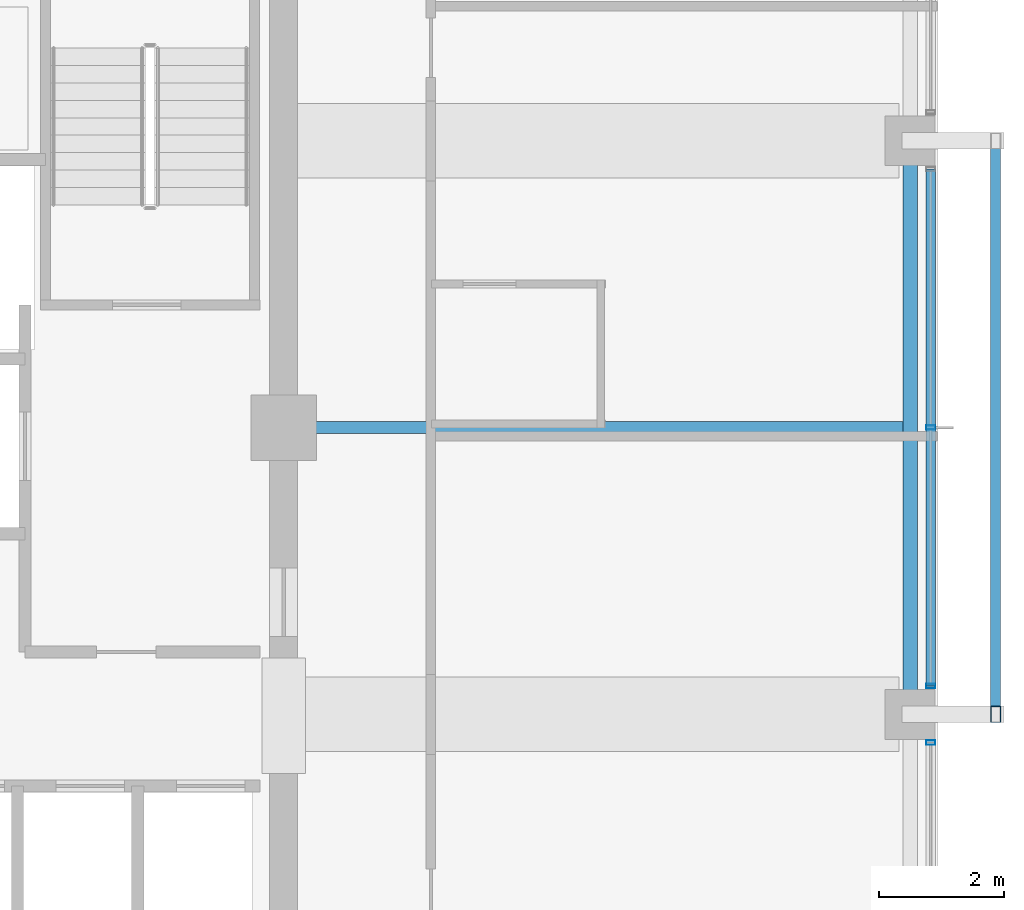
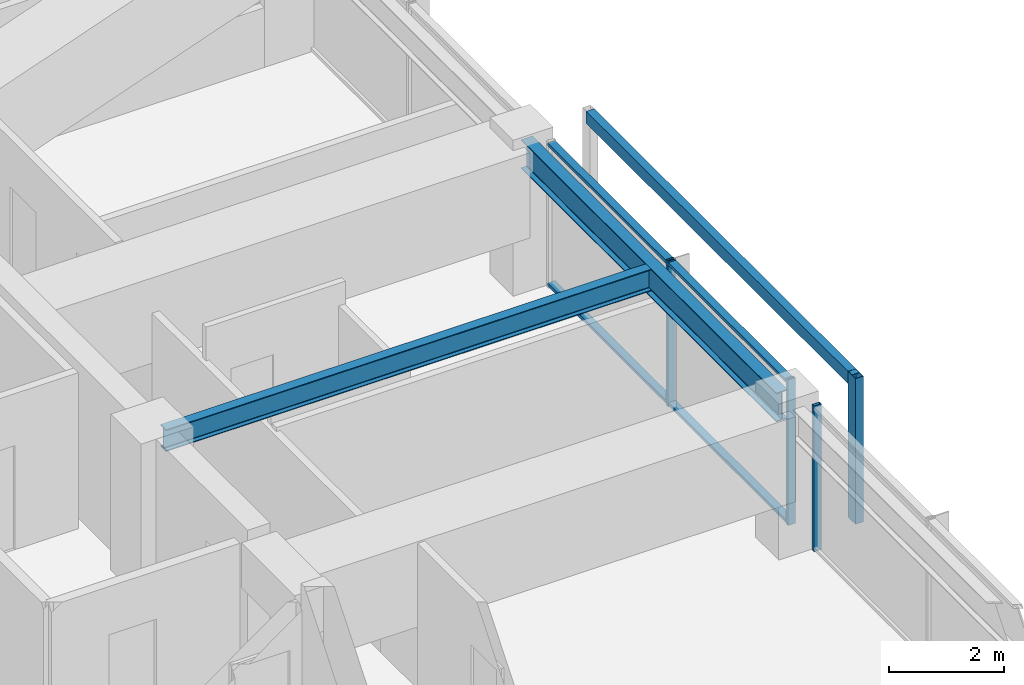
# One storey, part 14 of 37: 7 members, 2 beams, 2 elements without a shape of their own.
"""IFC4 building model written with IfcOpenShell, lengths in metres."""

from ifc_helpers import new_model, si_unit, direction, frame, origin, origin_2d, place, context, subcontext, project, spatial, hollow_rectangle, i_section, extrude, material, material_profile, profile_set, type_object, element, aggregate, save


model = new_model("IFC4")

# Units and contexts
model_context = context("Model", 3, precision=1e-05, world=origin(), true_north=direction((0.0, 1.0)))
body_context = subcontext(model_context, "Body", "Model", "MODEL_VIEW")
ifc_project = project(units=[si_unit("LENGTHUNIT", "METRE"), si_unit("AREAUNIT", "SQUARE_METRE"), si_unit("VOLUMEUNIT", "CUBIC_METRE"), si_unit("PLANEANGLEUNIT", "RADIAN"), si_unit("MASSUNIT", "GRAM", prefix="KILO")], contexts=[model_context])

# Site, building, storey
site_placement = place(None, origin())
site = spatial("IfcSite", under=ifc_project, at=site_placement, CompositionType="ELEMENT")
building_placement = place(site_placement, origin())
building = spatial("IfcBuilding", under=site, at=building_placement, Name="Kolvaren Belvedere", CompositionType="ELEMENT")
storey_placement = place(building_placement, frame((0.0, 0.0, 219.60009765625)))
storey = spatial("IfcBuildingStorey", under=building, at=storey_placement, Name="L64", CompositionType="ELEMENT", Elevation=219.60009765625)

# Beams
ifc_material_1 = material(Name="Structural steel ASTM A992 Grade 50", Category="steel")
ifc_material_profile_1 = material_profile(ifc_material_1, i_section(OverallWidth=0.19091796875, OverallDepth=0.4599609375, WebThickness=0.010009765625, FlangeThickness=0.01611328125, FilletRadius=0.014892578125, at=origin_2d()), Name="W18X55")
ifc_profile_set_1 = profile_set([ifc_material_profile_1], Name="Structural steel ASTM A992 Grade 50")
beam_type_1 = type_object("IfcBeamType", Name="BM-JOIST-W18X55", PredefinedType="BEAM", material=ifc_profile_set_1)
beam_1_placement = place(storey_placement, frame((10.125, 0.0, 2.849853515625), z_axis=(1.0, 0.0, 0.0), x_axis=(0.0, 1.0, 0.0)))
element("IfcBeam", 1, at=beam_1_placement, inside=storey, type_object=beam_type_1, Name="L64 East Centre Floor Beam", PredefinedType="BEAM", context=body_context, shape_type="SweptSolid", body=[
    extrude(i_section(OverallWidth=0.19091796875, OverallDepth=0.4599609375, WebThickness=0.010009765625, FlangeThickness=0.01611328125, FilletRadius=0.014892578125, at=origin_2d()), origin(), (0.0, 0.0, 1.0), 9.71044921875),
])
ifc_material_2 = material(Name="Structural steel ASTM A992 Grade 50", Category="steel")
ifc_material_profile_2 = material_profile(ifc_material_2, i_section(OverallWidth=0.22900390625, OverallDepth=0.612060546875, WebThickness=0.011962890625, FlangeThickness=0.01953125, FilletRadius=0.01806640625, at=origin_2d()), Name="W24X84")
ifc_profile_set_2 = profile_set([ifc_material_profile_2], Name="Structural steel ASTM A992 Grade 50")
beam_type_2 = type_object("IfcBeamType", Name="BM-SPAN-W24X84", PredefinedType="SPANDREL", material=ifc_profile_set_2)
beam_2_placement = place(storey_placement, frame((19.949951171875, -4.419921875, 2.77392578125), z_axis=(0.0, 1.0, 0.0), x_axis=(-1.0, 0.0, 0.0)))
element("IfcBeam", 2, at=beam_2_placement, inside=storey, type_object=beam_type_2, Name="L64 Perimeter Spandrel E2-E3", PredefinedType="SPANDREL", context=body_context, shape_type="SweptSolid", body=[
    extrude(i_section(OverallWidth=0.22900390625, OverallDepth=0.612060546875, WebThickness=0.011962890625, FlangeThickness=0.01953125, FilletRadius=0.01806640625, at=origin_2d()), origin(), (0.0, 0.0, 1.0), 8.83984375),
])

# Curtain wall, members
ifc_material_3 = material(Name="Anodised pale-metal aluminium AA 6063-T6", Category="aluminium")
curtain_wall_type = type_object("IfcCurtainWallType", Name="CW-Z5-HIGH", PredefinedType="NOTDEFINED", material=ifc_material_3)
curtain_wall_1_placement = place(storey_placement, origin())
curtain_wall_1 = element("IfcCurtainWall", 3, at=curtain_wall_1_placement, inside=storey, type_object=curtain_wall_type, Name="L64 Unitised Curtain Wall FCW-L64-E-B2", PredefinedType="NOTDEFINED")
ifc_material_4 = material(Name="Anodised pale-metal aluminium AA 6063-T6", Category="aluminium")
ifc_material_profile_3 = material_profile(ifc_material_4, hollow_rectangle(XDim=0.070068359375, YDim=0.14990234375, WallThickness=0.004150390625, at=origin_2d()), Name="ALU-MUL-150X70")
ifc_profile_set_3 = profile_set([ifc_material_profile_3], Name="Anodised pale-metal aluminium AA 6063-T6")
member_type_1 = type_object("IfcMemberType", Name="CW-MUL-150", PredefinedType="MULLION", material=ifc_profile_set_3)
member_1_placement = place(storey_placement, frame((20.280029296875, 0.0, 0.0), z_axis=(0.0, 0.0, 1.0), x_axis=(0.0, 1.0, 0.0)))
member_1 = element("IfcMember", 4, at=member_1_placement, type_object=member_type_1, Name="FCW-L64-E-B2 Unitised Mullion 2", PredefinedType="MULLION", context=body_context, shape_type="SweptSolid", body=[
    extrude(hollow_rectangle(XDim=0.070068359375, YDim=0.14990234375, WallThickness=0.004150390625, at=origin_2d()), origin(), (0.0, 0.0, 1.0), 3.079833984375),
])
member_2_placement = place(storey_placement, frame((20.280029296875, -4.14501953125, 0.0), z_axis=(0.0, 0.0, 1.0), x_axis=(0.0, 1.0, 0.0)))
member_2 = element("IfcMember", 5, at=member_2_placement, type_object=member_type_1, Name="FCW-L64-E-B2 Unitised Mullion 3", PredefinedType="MULLION", context=body_context, shape_type="SweptSolid", body=[
    extrude(hollow_rectangle(XDim=0.070068359375, YDim=0.14990234375, WallThickness=0.004150390625, at=origin_2d()), origin(), (0.0, 0.0, 1.0), 3.079833984375),
])

# Curtain wall, member
curtain_wall_2_placement = place(storey_placement, origin())
curtain_wall_2 = element("IfcCurtainWall", 6, at=curtain_wall_2_placement, inside=storey, type_object=curtain_wall_type, Name="L64 Unitised Curtain Wall FCW-L64-E-B3", PredefinedType="NOTDEFINED")
member_3_placement = place(storey_placement, frame((20.280029296875, -5.054931640625, 0.0), z_axis=(0.0, 0.0, 1.0), x_axis=(0.0, 1.0, 0.0)))
member_3 = element("IfcMember", 7, at=member_3_placement, type_object=member_type_1, Name="FCW-L64-E-B3 Unitised Mullion 1", PredefinedType="MULLION", context=body_context, shape_type="SweptSolid", body=[
    extrude(hollow_rectangle(XDim=0.070068359375, YDim=0.14990234375, WallThickness=0.004150390625, at=origin_2d()), origin(), (0.0, 0.0, 1.0), 3.079833984375),
])
aggregate(curtain_wall_2, [member_3])

# Member
ifc_material_5 = material(Name="Anodised pale-metal aluminium AA 6063-T6", Category="aluminium")
ifc_material_profile_4 = material_profile(ifc_material_5, hollow_rectangle(XDim=0.06494140625, YDim=0.14990234375, WallThickness=0.00390625, at=origin_2d()), Name="ALU-TRN-150X65")
ifc_profile_set_4 = profile_set([ifc_material_profile_4], Name="Anodised pale-metal aluminium AA 6063-T6")
member_type_2 = type_object("IfcMemberType", Name="CW-TRN-150", PredefinedType="USERDEFINED", material=ifc_profile_set_4)
member_4_placement = place(storey_placement, frame((20.280029296875, 4.14501953125, 0.059814453125), z_axis=(0.0, -1.0, 0.0), x_axis=(0.0, 0.0, 1.0)))
member_4 = element("IfcMember", 8, at=member_4_placement, type_object=member_type_2, Name="FCW-L64-E-B2 Sill Transom", ObjectType="TRANSOM", PredefinedType="USERDEFINED", context=body_context, shape_type="SweptSolid", body=[
    extrude(hollow_rectangle(XDim=0.06494140625, YDim=0.14990234375, WallThickness=0.00390625, at=origin_2d()), origin(), (0.0, 0.0, 1.0), 8.2900390625),
])

member_5_placement = place(storey_placement, frame((20.280029296875, 4.14501953125, 3.02001953125), z_axis=(0.0, -1.0, 0.0), x_axis=(0.0, 0.0, 1.0)))
member_5 = element("IfcMember", 9, at=member_5_placement, type_object=member_type_2, Name="FCW-L64-E-B2 Head Transom", ObjectType="TRANSOM", PredefinedType="USERDEFINED", context=body_context, shape_type="SweptSolid", body=[
    extrude(hollow_rectangle(XDim=0.06494140625, YDim=0.14990234375, WallThickness=0.00390625, at=origin_2d()), origin(), (0.0, 0.0, 1.0), 8.2900390625),
])

aggregate(curtain_wall_1, [member_1, member_2, member_4, member_5])

# Members
ifc_material_6 = material(Name="Anodised pale-metal aluminium AA 6063-T6", Category="aluminium")
ifc_material_profile_5 = material_profile(ifc_material_6, hollow_rectangle(XDim=0.159912109375, YDim=0.260009765625, WallThickness=0.006591796875, at=origin_2d()), Name="ALU-PF-260X160")
ifc_profile_set_5 = profile_set([ifc_material_profile_5], Name="Anodised pale-metal aluminium AA 6063-T6")
member_type_3 = type_object("IfcMemberType", Name="PF-FRAME-260", PredefinedType="USERDEFINED", material=ifc_profile_set_5)
member_6_placement = place(storey_placement, frame((21.320068359375, -4.60009765625, 0.0), z_axis=(0.0, 0.0, 1.0), x_axis=(1.0, 0.0, 0.0)))
element("IfcMember", 10, at=member_6_placement, inside=storey, type_object=member_type_3, Name="L64 Outboard Picture-Frame Vertical E2", ObjectType="PICTURE FRAME FIN", PredefinedType="USERDEFINED", context=body_context, shape_type="SweptSolid", body=[
    extrude(hollow_rectangle(XDim=0.159912109375, YDim=0.260009765625, WallThickness=0.006591796875, at=origin_2d()), origin(), (0.0, 0.0, 1.0), 3.079833984375),
])
member_7_placement = place(storey_placement, frame((21.320068359375, 4.60009765625, 2.949951171875), z_axis=(0.0, -1.0, 0.0), x_axis=(1.0, 0.0, 0.0)))
element("IfcMember", 11, at=member_7_placement, inside=storey, type_object=member_type_3, Name="L64 Outboard Picture-Frame Head E", ObjectType="PICTURE FRAME FIN", PredefinedType="USERDEFINED", context=body_context, shape_type="SweptSolid", body=[
    extrude(hollow_rectangle(XDim=0.159912109375, YDim=0.260009765625, WallThickness=0.006591796875, at=origin_2d()), origin(), (0.0, 0.0, 1.0), 9.2001953125),
])

save(model, "model.ifc")
